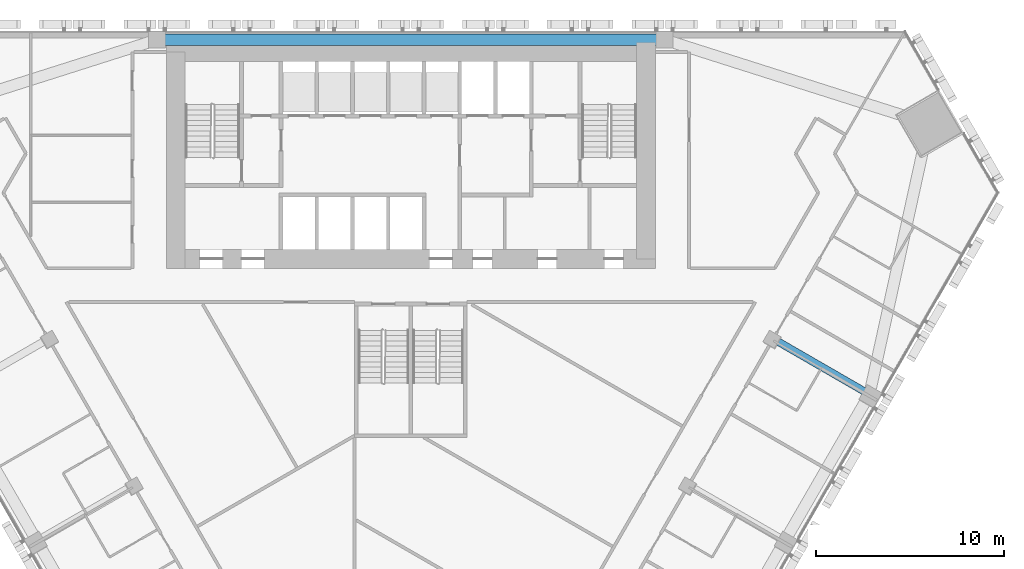
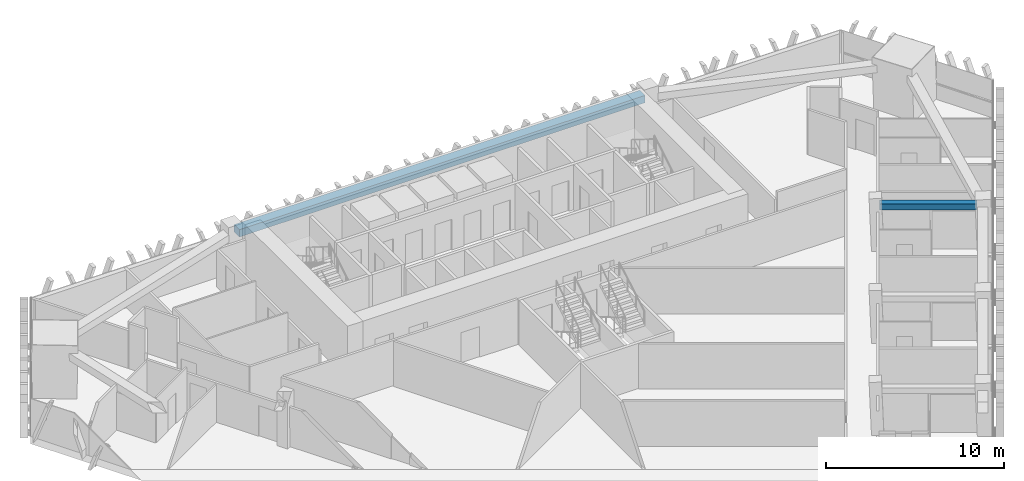
# One storey, part 7 of 17: 2 beams.
"""IFC4 building model written with IfcOpenShell, lengths in metres."""

from ifc_helpers import new_model, si_unit, direction, frame, origin, origin_2d, place, context, subcontext, project, spatial, rectangle, extrude, material, material_profile, profile_set, type_object, element, save


model = new_model("IFC4")

# Units and contexts
model_context = context("Model", 3, precision=1e-05, world=origin(), true_north=direction((0.0, 1.0)))
body_context = subcontext(model_context, "Body", "Model", "MODEL_VIEW")
ifc_project = project(units=[si_unit("LENGTHUNIT", "METRE"), si_unit("AREAUNIT", "SQUARE_METRE"), si_unit("VOLUMEUNIT", "CUBIC_METRE"), si_unit("PLANEANGLEUNIT", "RADIAN"), si_unit("MASSUNIT", "GRAM", prefix="KILO")], contexts=[model_context])

# Site, building, storey
site_placement = place(None, origin())
site = spatial("IfcSite", under=ifc_project, at=site_placement, CompositionType="ELEMENT")
building_placement = place(site_placement, origin())
building = spatial("IfcBuilding", under=site, at=building_placement, Name="Altiplano Prism Tower", CompositionType="ELEMENT")
storey_placement = place(building_placement, frame((0.0, 0.0, 30.60009765625)))
storey = spatial("IfcBuildingStorey", under=building, at=storey_placement, Name="L06", CompositionType="ELEMENT", Elevation=30.60009765625)

# Beams
ifc_material = material(Name="Concrete C60/75", Category="concrete")
ifc_material_profile_1 = material_profile(ifc_material, rectangle(XDim=0.60009765625, YDim=0.5, at=origin_2d()), Name="Edge beam 600x500")
ifc_profile_set_1 = profile_set([ifc_material_profile_1], Name="Concrete C60/75")
beam_type_1 = type_object("IfcBeamType", Name="Edge beam 600x500", PredefinedType="SPANDREL", material=ifc_profile_set_1)
beam_1_placement = place(storey_placement, frame((98.169921875, 104.550048828125, 2.849853515625), z_axis=(-1.0, 0.0, 0.0), x_axis=(0.0, -1.0, 0.0)))
element("IfcBeam", 1, at=beam_1_placement, inside=storey, type_object=beam_type_1, Name="Edge beam P01-P04 L07", PredefinedType="SPANDREL", context=body_context, shape_type="SweptSolid", body=[
    extrude(rectangle(XDim=0.60009765625, YDim=0.5, at=origin_2d()), origin(), (0.0, 0.0, 1.0), 26.33984375),
])
ifc_material_profile_2 = material_profile(ifc_material, rectangle(XDim=0.39990234375, YDim=0.39990234375, at=origin_2d()), Name="Tie beam 400x400")
ifc_profile_set_2 = profile_set([ifc_material_profile_2], Name="Concrete C60/75")
beam_type_2 = type_object("IfcBeamType", Name="Tie beam 400x400", PredefinedType="BEAM", material=ifc_profile_set_2)
beam_2_placement = place(storey_placement, frame((104.3466796875, 88.603515625, 2.89990234375), z_axis=(0.866012292785, -0.50002270823, 0.0), x_axis=(0.50002270823, 0.866012292785, 0.0)))
element("IfcBeam", 2, at=beam_2_placement, inside=storey, type_object=beam_type_2, Name="Tie beam I24 L07", PredefinedType="BEAM", context=body_context, shape_type="SweptSolid", body=[
    extrude(rectangle(XDim=0.39990234375, YDim=0.39990234375, at=origin_2d()), origin(), (0.0, 0.0, 1.0), 5.489990234375),
])

save(model, "model.ifc")
